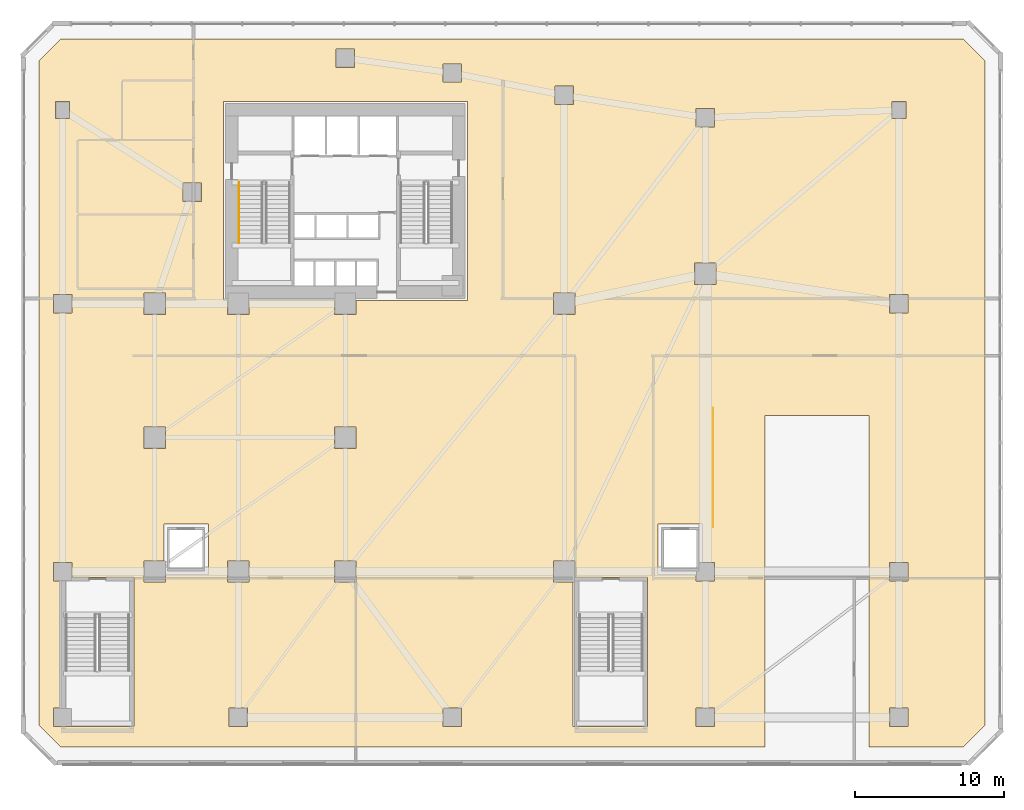
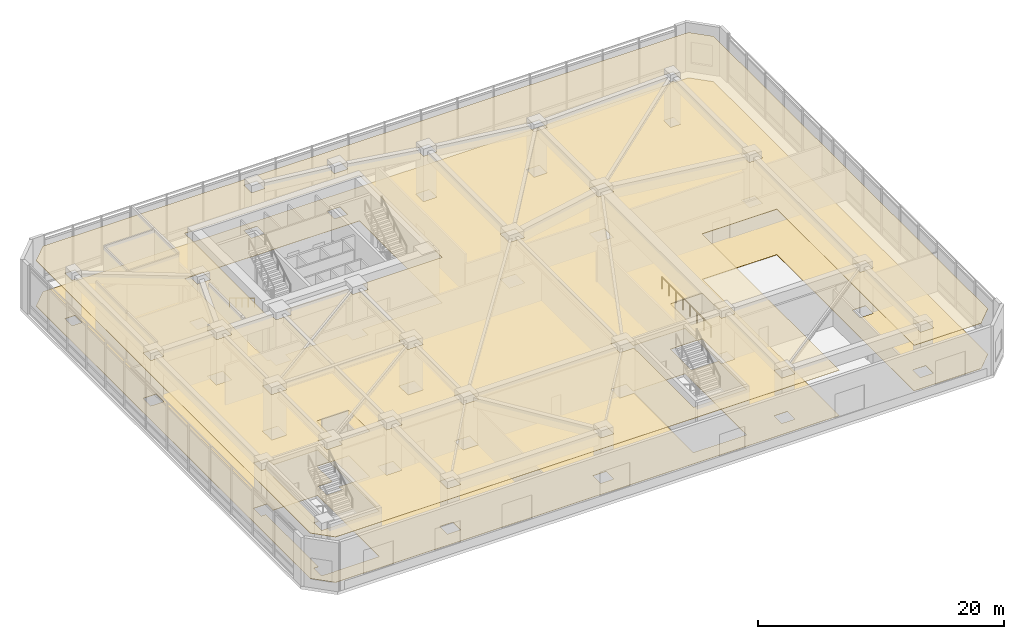
# One storey, part 14 of 15: 2 coverings, 2 railings.
"""IFC4 building model written with IfcOpenShell, lengths in metres."""

from ifc_helpers import new_model, si_unit, direction, frame, origin, origin_2d, place, context, subcontext, project, spatial, polyline, circle, outline, extrude, material, layer, layer_set, type_object, element, save


model = new_model("IFC4")

# Units and contexts
model_context = context("Model", 3, precision=1e-05, world=origin(), true_north=direction((0.0, 1.0)))
body_context = subcontext(model_context, "Body", "Model", "MODEL_VIEW")
ifc_project = project(units=[si_unit("LENGTHUNIT", "METRE"), si_unit("AREAUNIT", "SQUARE_METRE"), si_unit("VOLUMEUNIT", "CUBIC_METRE"), si_unit("PLANEANGLEUNIT", "RADIAN"), si_unit("MASSUNIT", "GRAM", prefix="KILO")], contexts=[model_context])

# Site, building, storey
site_placement = place(None, origin())
site = spatial("IfcSite", under=ifc_project, at=site_placement, CompositionType="ELEMENT")
building_placement = place(site_placement, origin())
building = spatial("IfcBuilding", under=site, at=building_placement, Name="Calvemar Wedge Station Tower", CompositionType="ELEMENT")
storey_placement = place(building_placement, frame((0.0, 0.0, 16.39990234375)))
storey = spatial("IfcBuildingStorey", under=building, at=storey_placement, Name="L04", CompositionType="ELEMENT", Elevation=16.39990234375)

# Coverings
ifc_material_1 = material(Name="Moisture-resistant gypsum ceiling")
ifc_layer_1 = layer(ifc_material_1, 0.0400390625)
ifc_layer_set_1 = layer_set([ifc_layer_1], Name="Moisture-resistant gypsum ceiling")
covering_type_1 = type_object("IfcCoveringType", Name="COV-CEIL-GYPSUM", PredefinedType="CEILING", material=ifc_layer_set_1)
covering_1_placement = place(storey_placement, frame((0.0, 0.0, 4.5)))
element("IfcCovering", 1, at=covering_1_placement, inside=storey, type_object=covering_type_1, Name="Storey L04 Acoustic Suspended Ceiling", PredefinedType="CEILING", context=body_context, shape_type="SweptSolid", body=[
    extrude(outline(polyline([(65.302978515625, 50.800048828125), (4.697021484375, 50.800048828125), (3.199951171875, 49.302978515625), (3.199951171875, 4.697021484375), (4.697021484375, 3.199951171875), (52.0, 3.199951171875), (52.0, 25.5), (59.0, 25.5), (59.0, 3.199951171875), (65.302978515625, 3.199951171875), (66.800048828125, 4.697021484375), (66.800048828125, 49.302978515625), (65.302978515625, 50.800048828125)]), holes=[polyline([(15.60009765625, 46.60009765625), (32.0, 46.60009765625), (32.0, 33.199951171875), (24.52001953125, 33.199951171875), (24.52001953125, 32.280029296875), (23.080078125, 32.280029296875), (23.080078125, 33.199951171875), (17.320068359375, 33.199951171875), (17.320068359375, 32.280029296875), (15.8798828125, 32.280029296875), (15.8798828125, 33.199951171875), (15.60009765625, 33.199951171875), (15.60009765625, 46.60009765625)]), polyline([(4.60009765625, 14.3798828125), (4.179931640625, 14.3798828125), (4.179931640625, 15.6201171875), (5.419921875, 15.6201171875), (5.419921875, 14.60009765625), (9.60009765625, 14.60009765625), (9.60009765625, 4.60009765625), (5.419921875, 4.60009765625), (5.419921875, 4.580078125), (4.179931640625, 4.580078125), (4.179931640625, 5.820068359375), (4.60009765625, 5.820068359375), (4.60009765625, 14.3798828125)]), polyline([(39.219970703125, 14.60009765625), (44.10009765625, 14.60009765625), (44.10009765625, 4.60009765625), (39.10009765625, 4.60009765625), (39.10009765625, 14.280029296875), (37.780029296875, 14.280029296875), (37.780029296875, 15.719970703125), (39.219970703125, 15.719970703125), (39.219970703125, 14.60009765625)]), polyline([(11.719970703125, 14.280029296875), (10.280029296875, 14.280029296875), (10.280029296875, 15.719970703125), (11.60009765625, 15.719970703125), (11.60009765625, 18.199951171875), (14.60009765625, 18.199951171875), (14.60009765625, 14.800048828125), (11.719970703125, 14.800048828125), (11.719970703125, 14.280029296875)]), polyline([(44.800048828125, 14.800048828125), (44.800048828125, 18.199951171875), (47.800048828125, 18.199951171875), (47.800048828125, 15.6201171875), (48.6201171875, 15.6201171875), (48.6201171875, 14.3798828125), (47.3798828125, 14.3798828125), (47.3798828125, 14.800048828125), (44.800048828125, 14.800048828125)]), polyline([(15.97998046875, 5.820068359375), (17.219970703125, 5.820068359375), (17.219970703125, 4.580078125), (15.97998046875, 4.580078125), (15.97998046875, 5.820068359375)]), polyline([(31.6201171875, 5.820068359375), (31.6201171875, 4.580078125), (30.3798828125, 4.580078125), (30.3798828125, 5.820068359375), (31.6201171875, 5.820068359375)]), polyline([(48.6201171875, 4.580078125), (47.3798828125, 4.580078125), (47.3798828125, 5.820068359375), (48.6201171875, 5.820068359375), (48.6201171875, 4.580078125)]), polyline([(60.3798828125, 4.580078125), (60.3798828125, 5.820068359375), (61.6201171875, 5.820068359375), (61.6201171875, 4.580078125), (60.3798828125, 4.580078125)]), polyline([(17.320068359375, 14.280029296875), (15.8798828125, 14.280029296875), (15.8798828125, 15.719970703125), (17.320068359375, 15.719970703125), (17.320068359375, 14.280029296875)]), polyline([(23.080078125, 14.280029296875), (23.080078125, 15.719970703125), (24.52001953125, 15.719970703125), (24.52001953125, 14.280029296875), (23.080078125, 14.280029296875)]), polyline([(61.6201171875, 14.3798828125), (60.3798828125, 14.3798828125), (60.3798828125, 15.6201171875), (61.6201171875, 15.6201171875), (61.6201171875, 14.3798828125)]), polyline([(10.280029296875, 23.280029296875), (10.280029296875, 24.719970703125), (11.719970703125, 24.719970703125), (11.719970703125, 23.280029296875), (10.280029296875, 23.280029296875)]), polyline([(23.080078125, 24.719970703125), (24.52001953125, 24.719970703125), (24.52001953125, 23.280029296875), (23.080078125, 23.280029296875), (23.080078125, 24.719970703125)]), polyline([(5.419921875, 33.6201171875), (5.419921875, 32.3798828125), (4.179931640625, 32.3798828125), (4.179931640625, 33.6201171875), (5.419921875, 33.6201171875)]), polyline([(11.719970703125, 32.280029296875), (10.280029296875, 32.280029296875), (10.280029296875, 33.719970703125), (11.719970703125, 33.719970703125), (11.719970703125, 32.280029296875)]), polyline([(39.219970703125, 33.719970703125), (39.219970703125, 32.280029296875), (37.780029296875, 32.280029296875), (37.780029296875, 33.719970703125), (39.219970703125, 33.719970703125)]), polyline([(48.719970703125, 34.280029296875), (47.280029296875, 34.280029296875), (47.280029296875, 35.719970703125), (48.719970703125, 35.719970703125), (48.719970703125, 34.280029296875)]), polyline([(60.3798828125, 32.3798828125), (60.3798828125, 33.6201171875), (61.6201171875, 33.6201171875), (61.6201171875, 32.3798828125), (60.3798828125, 32.3798828125)]), polyline([(4.330078125, 46.570068359375), (5.27001953125, 46.570068359375), (5.27001953125, 45.429931640625), (4.330078125, 45.429931640625), (4.330078125, 46.570068359375)]), polyline([(14.1201171875, 41.1201171875), (14.1201171875, 39.8798828125), (12.8798828125, 39.8798828125), (12.8798828125, 41.1201171875), (14.1201171875, 41.1201171875)]), polyline([(24.419921875, 48.8798828125), (23.179931640625, 48.8798828125), (23.179931640625, 50.1201171875), (24.419921875, 50.1201171875), (24.419921875, 48.8798828125)]), polyline([(30.3798828125, 47.8798828125), (30.3798828125, 49.1201171875), (31.6201171875, 49.1201171875), (31.6201171875, 47.8798828125), (30.3798828125, 47.8798828125)]), polyline([(37.8798828125, 47.6201171875), (39.1201171875, 47.6201171875), (39.1201171875, 46.3798828125), (37.8798828125, 46.3798828125), (37.8798828125, 47.6201171875)]), polyline([(48.6201171875, 46.1201171875), (48.6201171875, 44.8798828125), (47.3798828125, 44.8798828125), (47.3798828125, 46.1201171875), (48.6201171875, 46.1201171875)]), polyline([(61.469970703125, 45.429931640625), (60.530029296875, 45.429931640625), (60.530029296875, 46.570068359375), (61.469970703125, 46.570068359375), (61.469970703125, 45.429931640625)])]), origin(), (0.0, 0.0, 1.0), 0.0400390625),
])
ifc_material_2 = material(Name="Commercial raised access floor")
ifc_layer_2 = layer(ifc_material_2, 0.030029296875)
ifc_layer_set_2 = layer_set([ifc_layer_2], Name="Commercial raised access floor")
covering_type_2 = type_object("IfcCoveringType", Name="COV-FLR-RAISED", PredefinedType="FLOORING", material=ifc_layer_set_2)
covering_2_placement = place(storey_placement, origin())
element("IfcCovering", 2, at=covering_2_placement, inside=storey, type_object=covering_type_2, Name="Storey L04 Architectural Floor Finish", PredefinedType="FLOORING", context=body_context, shape_type="SweptSolid", body=[
    extrude(outline(polyline([(65.302978515625, 50.800048828125), (4.697021484375, 50.800048828125), (3.199951171875, 49.302978515625), (3.199951171875, 4.697021484375), (4.697021484375, 3.199951171875), (52.0, 3.199951171875), (52.0, 25.5), (59.0, 25.5), (59.0, 3.199951171875), (65.302978515625, 3.199951171875), (66.800048828125, 4.697021484375), (66.800048828125, 49.302978515625), (65.302978515625, 50.800048828125)]), holes=[polyline([(15.60009765625, 46.60009765625), (32.0, 46.60009765625), (32.0, 33.199951171875), (24.52001953125, 33.199951171875), (24.52001953125, 32.280029296875), (23.080078125, 32.280029296875), (23.080078125, 33.199951171875), (17.320068359375, 33.199951171875), (17.320068359375, 32.280029296875), (15.8798828125, 32.280029296875), (15.8798828125, 33.199951171875), (15.60009765625, 33.199951171875), (15.60009765625, 46.60009765625)]), polyline([(4.60009765625, 14.3798828125), (4.179931640625, 14.3798828125), (4.179931640625, 15.6201171875), (5.419921875, 15.6201171875), (5.419921875, 14.60009765625), (9.60009765625, 14.60009765625), (9.60009765625, 4.60009765625), (5.419921875, 4.60009765625), (5.419921875, 4.580078125), (4.179931640625, 4.580078125), (4.179931640625, 5.820068359375), (4.60009765625, 5.820068359375), (4.60009765625, 14.3798828125)]), polyline([(39.219970703125, 14.60009765625), (44.10009765625, 14.60009765625), (44.10009765625, 4.60009765625), (39.10009765625, 4.60009765625), (39.10009765625, 14.280029296875), (37.780029296875, 14.280029296875), (37.780029296875, 15.719970703125), (39.219970703125, 15.719970703125), (39.219970703125, 14.60009765625)]), polyline([(11.719970703125, 14.280029296875), (10.280029296875, 14.280029296875), (10.280029296875, 15.719970703125), (11.60009765625, 15.719970703125), (11.60009765625, 18.199951171875), (14.60009765625, 18.199951171875), (14.60009765625, 14.800048828125), (11.719970703125, 14.800048828125), (11.719970703125, 14.280029296875)]), polyline([(44.800048828125, 14.800048828125), (44.800048828125, 18.199951171875), (47.800048828125, 18.199951171875), (47.800048828125, 15.6201171875), (48.6201171875, 15.6201171875), (48.6201171875, 14.3798828125), (47.3798828125, 14.3798828125), (47.3798828125, 14.800048828125), (44.800048828125, 14.800048828125)]), polyline([(15.97998046875, 5.820068359375), (17.219970703125, 5.820068359375), (17.219970703125, 4.580078125), (15.97998046875, 4.580078125), (15.97998046875, 5.820068359375)]), polyline([(31.6201171875, 5.820068359375), (31.6201171875, 4.580078125), (30.3798828125, 4.580078125), (30.3798828125, 5.820068359375), (31.6201171875, 5.820068359375)]), polyline([(48.6201171875, 4.580078125), (47.3798828125, 4.580078125), (47.3798828125, 5.820068359375), (48.6201171875, 5.820068359375), (48.6201171875, 4.580078125)]), polyline([(60.3798828125, 4.580078125), (60.3798828125, 5.820068359375), (61.6201171875, 5.820068359375), (61.6201171875, 4.580078125), (60.3798828125, 4.580078125)]), polyline([(17.320068359375, 14.280029296875), (15.8798828125, 14.280029296875), (15.8798828125, 15.719970703125), (17.320068359375, 15.719970703125), (17.320068359375, 14.280029296875)]), polyline([(23.080078125, 14.280029296875), (23.080078125, 15.719970703125), (24.52001953125, 15.719970703125), (24.52001953125, 14.280029296875), (23.080078125, 14.280029296875)]), polyline([(61.6201171875, 14.3798828125), (60.3798828125, 14.3798828125), (60.3798828125, 15.6201171875), (61.6201171875, 15.6201171875), (61.6201171875, 14.3798828125)]), polyline([(10.280029296875, 23.280029296875), (10.280029296875, 24.719970703125), (11.719970703125, 24.719970703125), (11.719970703125, 23.280029296875), (10.280029296875, 23.280029296875)]), polyline([(23.080078125, 24.719970703125), (24.52001953125, 24.719970703125), (24.52001953125, 23.280029296875), (23.080078125, 23.280029296875), (23.080078125, 24.719970703125)]), polyline([(5.419921875, 33.6201171875), (5.419921875, 32.3798828125), (4.179931640625, 32.3798828125), (4.179931640625, 33.6201171875), (5.419921875, 33.6201171875)]), polyline([(11.719970703125, 32.280029296875), (10.280029296875, 32.280029296875), (10.280029296875, 33.719970703125), (11.719970703125, 33.719970703125), (11.719970703125, 32.280029296875)]), polyline([(39.219970703125, 33.719970703125), (39.219970703125, 32.280029296875), (37.780029296875, 32.280029296875), (37.780029296875, 33.719970703125), (39.219970703125, 33.719970703125)]), polyline([(48.719970703125, 34.280029296875), (47.280029296875, 34.280029296875), (47.280029296875, 35.719970703125), (48.719970703125, 35.719970703125), (48.719970703125, 34.280029296875)]), polyline([(60.3798828125, 32.3798828125), (60.3798828125, 33.6201171875), (61.6201171875, 33.6201171875), (61.6201171875, 32.3798828125), (60.3798828125, 32.3798828125)]), polyline([(4.330078125, 46.570068359375), (5.27001953125, 46.570068359375), (5.27001953125, 45.429931640625), (4.330078125, 45.429931640625), (4.330078125, 46.570068359375)]), polyline([(14.1201171875, 41.1201171875), (14.1201171875, 39.8798828125), (12.8798828125, 39.8798828125), (12.8798828125, 41.1201171875), (14.1201171875, 41.1201171875)]), polyline([(24.419921875, 48.8798828125), (23.179931640625, 48.8798828125), (23.179931640625, 50.1201171875), (24.419921875, 50.1201171875), (24.419921875, 48.8798828125)]), polyline([(30.3798828125, 47.8798828125), (30.3798828125, 49.1201171875), (31.6201171875, 49.1201171875), (31.6201171875, 47.8798828125), (30.3798828125, 47.8798828125)]), polyline([(37.8798828125, 47.6201171875), (39.1201171875, 47.6201171875), (39.1201171875, 46.3798828125), (37.8798828125, 46.3798828125), (37.8798828125, 47.6201171875)]), polyline([(48.6201171875, 46.1201171875), (48.6201171875, 44.8798828125), (47.3798828125, 44.8798828125), (47.3798828125, 46.1201171875), (48.6201171875, 46.1201171875)]), polyline([(61.469970703125, 45.429931640625), (60.530029296875, 45.429931640625), (60.530029296875, 46.570068359375), (61.469970703125, 46.570068359375), (61.469970703125, 45.429931640625)])]), origin(), (0.0, 0.0, 1.0), 0.030029296875),
])

# Railings
ifc_material_3 = material(Name="Anodised aluminium 6063-T6", Category="aluminium")
railing_type_1 = type_object("IfcRailingType", Name="RL-BALUSTRADE-1200", PredefinedType="BALUSTRADE", material=ifc_material_3)
railing_1_placement = place(storey_placement, frame((48.5, 18.0, 0.0)))
element("IfcRailing", 3, at=railing_1_placement, inside=storey, type_object=railing_type_1, Name="Storey L04 Glazed Feature Balustrade 6", PredefinedType="BALUSTRADE", context=body_context, shape_type="SweptSolid", body=[
    extrude(circle(Radius=0.02392578125, at=origin_2d()), frame((0.0, 0.0, 1.17578125), z_axis=(0.0, 1.0, 0.0), x_axis=(-1.0, 0.0, 0.0)), (0.0, 0.0, 1.0), 8.0),
    extrude(circle(Radius=0.02099609375, at=origin_2d()), origin(), (0.0, 0.0, 1.0), 1.15185546875),
    extrude(circle(Radius=0.02099609375, at=origin_2d()), frame((0.0, 1.142822265625, 0.0)), (0.0, 0.0, 1.0), 1.15185546875),
    extrude(circle(Radius=0.02099609375, at=origin_2d()), frame((0.0, 2.28564453125, 0.0)), (0.0, 0.0, 1.0), 1.15185546875),
    extrude(circle(Radius=0.02099609375, at=origin_2d()), frame((0.0, 3.428466796875, 0.0)), (0.0, 0.0, 1.0), 1.15185546875),
    extrude(circle(Radius=0.02099609375, at=origin_2d()), frame((0.0, 4.571533203125, 0.0)), (0.0, 0.0, 1.0), 1.15185546875),
    extrude(circle(Radius=0.02099609375, at=origin_2d()), frame((0.0, 5.71435546875, 0.0)), (0.0, 0.0, 1.0), 1.15185546875),
    extrude(circle(Radius=0.02099609375, at=origin_2d()), frame((0.0, 6.857177734375, 0.0)), (0.0, 0.0, 1.0), 1.15185546875),
    extrude(circle(Radius=0.02099609375, at=origin_2d()), frame((0.0, 8.0, 0.0)), (0.0, 0.0, 1.0), 1.15185546875),
])
ifc_material_4 = material(Name="Stainless steel AISI 316L", Category="steel")
railing_type_2 = type_object("IfcRailingType", Name="RL-HANDRAIL-920", PredefinedType="HANDRAIL", material=ifc_material_4)
railing_2_placement = place(storey_placement, frame((16.64990234375, 41.14990234375, 0.17333984375)))
element("IfcRailing", 4, at=railing_2_placement, inside=storey, type_object=railing_type_2, Name="L04 ST-C1 stair handrail 1", PredefinedType="HANDRAIL", context=body_context, shape_type="SweptSolid", body=[
    extrude(circle(Radius=0.02392578125, at=origin_2d()), frame((0.0, 0.0, 0.89599609375), z_axis=(0.0, -0.858343435637, 0.513075575815), x_axis=(1.0, 0.0, 0.0)), (0.0, 0.0, 1.0), 4.729736328125),
    extrude(circle(Radius=0.02099609375, at=origin_2d()), origin(), (0.0, 0.0, 1.0), 0.871826171875),
    extrude(circle(Radius=0.02099609375, at=origin_2d()), frame((0.0, -1.014892578125, 0.606689453125)), (0.0, 0.0, 1.0), 0.871826171875),
    extrude(circle(Radius=0.02099609375, at=origin_2d()), frame((0.0, -2.02978515625, 1.21337890625)), (0.0, 0.0, 1.0), 0.871826171875),
    extrude(circle(Radius=0.02099609375, at=origin_2d()), frame((0.0, -3.044921875, 1.820068359375)), (0.0, 0.0, 1.0), 0.871826171875),
    extrude(circle(Radius=0.02099609375, at=origin_2d()), frame((0.0, -4.059814453125, 2.4267578125)), (0.0, 0.0, 1.0), 0.871826171875),
])

save(model, "model.ifc")
